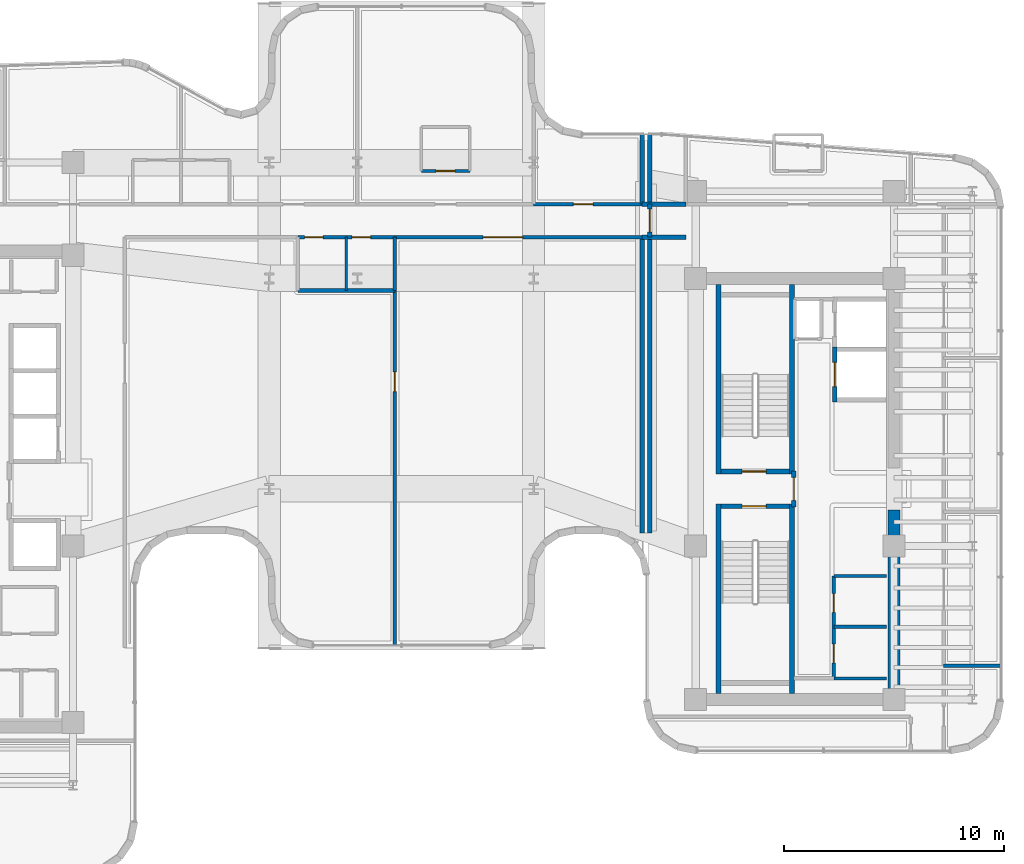
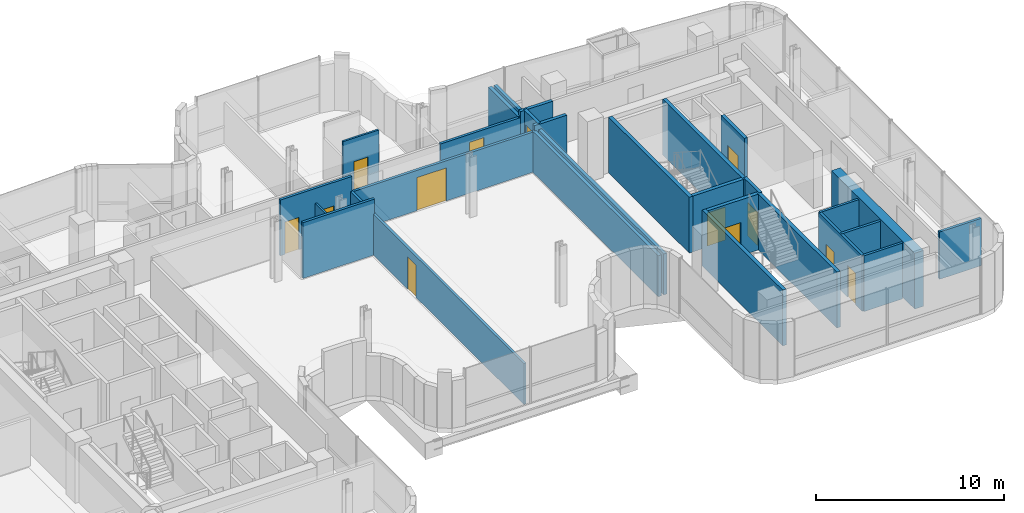
# One storey, part 29 of 36: 29 walls, 13 doors, 13 openings.
"""IFC4 building model written with IfcOpenShell, lengths in metres."""

import ifcopenshell
import ifcopenshell.guid

model = None  # the IFC model being written
_history = None  # IfcOwnerHistory: only IFC2X3 demands one
_inside = {}  # id of a spatial element -> (the spatial element, [elements in it])
_under = {}  # id of a project, library or spatial element -> (it, [spatial elements below it])
_declared = {}  # id of a project -> (the project, [libraries it declares])
_typed = {}  # id of a type object -> (the type object, [elements of that type])
_made_of = {}  # id of a material, layer set ... -> (it, [elements and type objects made of it])


def new_model(schema):
    """Start an empty IFC model of exactly this schema.

    Asked for "IFC4X3", IfcOpenShell would pick the latest addendum, in which some entities
    have other attributes; the version numbers below select the first issue.
    IFC2X3 requires an IfcOwnerHistory on every rooted entity: one is made here for all.
    """
    global model, _history
    if schema == "IFC4X3":
        model = ifcopenshell.file(schema_version=(4, 3, 0, 0))
    else:
        model = ifcopenshell.file(schema=schema)
    _inside.clear()
    _under.clear()
    _declared.clear()
    _typed.clear()
    _made_of.clear()
    _history = None
    if model.schema == "IFC2X3":
        org = make("IfcOrganization", Name="unknown")
        user = make(
            "IfcPersonAndOrganization",
            ThePerson=make("IfcPerson", FamilyName="unknown"),
            TheOrganization=org,
        )
        app = make(
            "IfcApplication",
            ApplicationDeveloper=org,
            Version="unknown",
            ApplicationFullName="unknown",
            ApplicationIdentifier="unknown",
        )
        _history = make(
            "IfcOwnerHistory",
            OwningUser=user,
            OwningApplication=app,
            ChangeAction="ADDED",
            CreationDate=0,
        )
    return model


def make(cls, **values):
    """One entity of the class cls with the attributes given. An attribute that is None is left unset."""
    return model.create_entity(
        cls, **{name: value for name, value in values.items() if value is not None}
    )


def rooted(cls, **values):
    """An entity with a GlobalId (a new one), such as an element, a storey or a relation."""
    return make(cls, GlobalId=ifcopenshell.guid.new(), OwnerHistory=_history, **values)


def si_unit(unit_type, name, prefix=None):
    """IfcSIUnit, for example si_unit("LENGTHUNIT", "METRE", prefix="MILLI")."""
    return make("IfcSIUnit", UnitType=unit_type, Prefix=prefix, Name=name)


def assignment(units):
    """IfcUnitAssignment: the units of a project."""
    return None if units is None else make("IfcUnitAssignment", Units=units)


def point(xyz):
    """IfcCartesianPoint."""
    return None if xyz is None else make("IfcCartesianPoint", Coordinates=xyz)


def direction(xyz):
    """IfcDirection."""
    return None if xyz is None else make("IfcDirection", DirectionRatios=xyz)


def frame(location, z_axis=None, x_axis=None):
    """IfcAxis2Placement3D, a coordinate frame: its origin and axes. An axis left out is left unset."""
    return make(
        "IfcAxis2Placement3D",
        Location=point(location),
        Axis=direction(z_axis),
        RefDirection=direction(x_axis),
    )


def frame_2d(location, x_axis=None):
    """IfcAxis2Placement2D, a coordinate frame in the plane: its origin and x axis."""
    return make(
        "IfcAxis2Placement2D", Location=point(location), RefDirection=direction(x_axis)
    )


def origin():
    """The frame at (0, 0, 0) with its axes left unset."""
    return frame((0.0, 0.0, 0.0))


def place(relative_to, where):
    """IfcLocalPlacement: puts the frame where relative to a parent placement (None: the world)."""
    return make(
        "IfcLocalPlacement", PlacementRelTo=relative_to, RelativePlacement=where
    )


def context(
    kind, dimensions, precision=None, world=None, true_north=None, identifier=None
):
    """IfcGeometricRepresentationContext, for example the 3D "Model" context."""
    return make(
        "IfcGeometricRepresentationContext",
        ContextIdentifier=identifier,
        ContextType=kind,
        CoordinateSpaceDimension=dimensions,
        Precision=precision,
        WorldCoordinateSystem=world,
        TrueNorth=true_north,
    )


def subcontext(parent, identifier, kind, view, scale=None):
    """IfcGeometricRepresentationSubContext, for example "Body" below "Model"."""
    return make(
        "IfcGeometricRepresentationSubContext",
        ContextIdentifier=identifier,
        ContextType=kind,
        ParentContext=parent,
        TargetScale=scale,
        TargetView=view,
    )


def project(units=None, contexts=None):
    """IfcProject with its units and contexts."""
    return rooted(
        "IfcProject",
        Name="project",
        RepresentationContexts=contexts,
        UnitsInContext=assignment(units),
    )


def spatial(cls, under=None, at=None, **own):
    """A site, building, storey or space (cls), placed at a placement, below another one or the project."""
    s = rooted(cls, ObjectPlacement=at, **own)
    if under is not None:
        _under.setdefault(under.id(), (under, []))[1].append(s)
    return s


def profile(cls, at=None, kind="AREA", **sizes):
    """A parametric profile (cls). Its sizes go by their IFC names, for example OverallWidth=200.0."""
    return make(cls, ProfileType=kind, Position=at, **sizes)


def rectangle(**sizes):
    """IfcRectangleProfileDef."""
    return profile("IfcRectangleProfileDef", **sizes)


def extrude(swept, where, along, depth):
    """IfcExtrudedAreaSolid: the profile swept, set in the frame where, extruded along a direction by depth."""
    return make(
        "IfcExtrudedAreaSolid",
        SweptArea=swept,
        Position=where,
        ExtrudedDirection=direction(along),
        Depth=depth,
    )


def shape(context_of_items, identifier, shape_type, items):
    """IfcShapeRepresentation: the items that make up one representation, for example the "Body"."""
    return make(
        "IfcShapeRepresentation",
        ContextOfItems=context_of_items,
        RepresentationIdentifier=identifier,
        RepresentationType=shape_type,
        Items=items,
    )


def material(Name=None, Category=None):
    """IfcMaterial."""
    return make("IfcMaterial", Name=Name, Category=Category)


def layer(
    of_material, thickness, ventilated=None, Name=None, Category=None, Priority=None
):
    """IfcMaterialLayer: one layer of a wall or slab, of a material (None: an air gap)."""
    return make(
        "IfcMaterialLayer",
        Material=of_material,
        LayerThickness=thickness,
        IsVentilated=ventilated,
        Name=Name,
        Category=Category,
        Priority=Priority,
    )


def layer_set(layers, Name=None):
    """IfcMaterialLayerSet."""
    return make("IfcMaterialLayerSet", MaterialLayers=layers, LayerSetName=Name)


def made_of(thing, what):
    """Note that an element or type object is made of a material, layer set ...; save() writes the relation."""
    if what is not None:
        _made_of.setdefault(what.id(), (what, []))[1].append(thing)
    return thing


def type_object(cls, material=None, **own):
    """A type object (cls), such as IfcWallType, which elements share."""
    return made_of(rooted(cls, **own), material)


def element(
    cls,
    number,
    at=None,
    inside=None,
    cuts=None,
    type_object=None,
    material=None,
    context=None,
    identifier="Body",
    shape_type=None,
    held_by="IfcProductDefinitionShape",
    body=None,
    shapes=None,
    **own,
):
    """One element of the class cls, such as IfcWall. Its Tag is "e" and its number.

    at: its placement. inside: the storey or other place that contains it. cuts: it is an
    opening in that element (IfcRelVoidsElement). A single representation is given by context,
    identifier, shape_type and body (its items); several are given by shapes. held_by: the class
    of the entity that holds the representations. save() writes the other relations.
    """
    e = rooted(cls, Tag="e%d" % number, ObjectPlacement=at, **own)
    if body is not None:
        shapes = [shape(context, identifier, shape_type, body)]
    if shapes is not None:
        e.Representation = make(held_by, Representations=shapes)
    if inside is not None:
        _inside.setdefault(inside.id(), (inside, []))[1].append(e)
    if cuts is not None:
        rooted(
            "IfcRelVoidsElement", RelatingBuildingElement=cuts, RelatedOpeningElement=e
        )
    if type_object is not None:
        _typed.setdefault(type_object.id(), (type_object, []))[1].append(e)
    return made_of(e, material)


def fill(opening, filler):
    """IfcRelFillsElement: the door or window that sits in an opening."""
    return rooted(
        "IfcRelFillsElement",
        RelatingOpeningElement=opening,
        RelatedBuildingElement=filler,
    )


def aggregate(whole, parts):
    """IfcRelAggregates: a whole, such as a stair, and the parts it consists of."""
    return rooted("IfcRelAggregates", RelatingObject=whole, RelatedObjects=parts)


def save(model, path):
    """Write the relations noted so far, then the file.

    IfcRelAggregates (storeys below a building ...), IfcRelContainedInSpatialStructure (elements
    in a storey), IfcRelDefinesByType, IfcRelAssociatesMaterial and IfcRelDeclares: one each for
    every whole, place, type object, material and project.
    """
    for whole, parts in _under.values():
        aggregate(whole, parts)
    for where, things in _inside.values():
        rooted(
            "IfcRelContainedInSpatialStructure",
            RelatedElements=things,
            RelatingStructure=where,
        )
    for kind, things in _typed.values():
        rooted("IfcRelDefinesByType", RelatedObjects=things, RelatingType=kind)
    for what, things in _made_of.values():
        rooted("IfcRelAssociatesMaterial", RelatedObjects=things, RelatingMaterial=what)
    for by, libraries in _declared.values():
        rooted("IfcRelDeclares", RelatingContext=by, RelatedDefinitions=libraries)
    model.write(path)


model = new_model("IFC4")

# Units and contexts
model_context = context("Model", 3, precision=1e-05, world=origin(), true_north=direction((0.0, 1.0)))
body_context = subcontext(model_context, "Body", "Model", "MODEL_VIEW")
ifc_project = project(units=[si_unit("LENGTHUNIT", "METRE"), si_unit("AREAUNIT", "SQUARE_METRE"), si_unit("VOLUMEUNIT", "CUBIC_METRE"), si_unit("PLANEANGLEUNIT", "RADIAN"), si_unit("MASSUNIT", "GRAM", prefix="KILO")], contexts=[model_context])

# Site, building, storey
site_placement = place(None, origin())
site = spatial("IfcSite", under=ifc_project, at=site_placement, CompositionType="ELEMENT")
building_placement = place(site_placement, origin())
building = spatial("IfcBuilding", under=site, at=building_placement, Name="Valdorenza Pilgrim Sanctuary Tower", CompositionType="ELEMENT")
storey_placement = place(building_placement, frame((0.0, 0.0, 176.550048828125)))
storey = spatial("IfcBuildingStorey", under=building, at=storey_placement, Name="L45", CompositionType="ELEMENT", Elevation=176.550048828125)

# Wall, openings, doors
ifc_material_1 = material(Name="Acoustic twin-stud gypsum partition", Category="gypsum")
ifc_layer_1 = layer(ifc_material_1, 0.159912109375, Name="Acoustic twin-stud gypsum partition")
ifc_layer_set_1 = layer_set([ifc_layer_1], Name="Acoustic twin-stud gypsum partition")
wall_type_1 = type_object("IfcWallType", Name="WAL-COR-160", PredefinedType="PARTITIONING", material=ifc_layer_set_1)
wall_1_placement = place(storey_placement, frame((22.1201171875, -8.60009765625, 0.0), z_axis=(0.0, 0.0, 1.0), x_axis=(0.0, 1.0, 0.0)))
wall_1 = element("IfcWall", 1, at=wall_1_placement, inside=storey, type_object=wall_type_1, Name="L45 Core B Freed Shaft West Wall", PredefinedType="PARTITIONING", context=body_context, shape_type="SweptSolid", body=[
    extrude(rectangle(XDim=4.650146484375, YDim=0.159912109375, at=frame_2d((2.3251953125, 0.0))), origin(), (0.0, 0.0, 1.0), 3.6298828125),
])
opening_1_placement = place(wall_1_placement, frame((0.699951171875, 0.0, 0.0)))
opening_1 = element("IfcOpeningElement", 2, at=opening_1_placement, cuts=wall_1, Name="Opening DR-RS1", PredefinedType="OPENING", context=body_context, shape_type="SweptSolid", body=[
    extrude(rectangle(XDim=0.85009765625, YDim=2.050048828125, at=frame_2d((0.425048828125, 1.02490234375))), frame((0.0, 0.0947265625, 0.0), z_axis=(0.0, -1.0, 0.0), x_axis=(1.0, 0.0, 0.0)), (0.0, 0.0, 1.0), 0.189697265625),
])
opening_2_placement = place(wall_1_placement, frame((3.0, 0.0, 0.0)))
opening_2 = element("IfcOpeningElement", 3, at=opening_2_placement, cuts=wall_1, Name="Opening DR-RS1", PredefinedType="OPENING", context=body_context, shape_type="SweptSolid", body=[
    extrude(rectangle(XDim=0.85009765625, YDim=2.050048828125, at=frame_2d((0.425048828125, 1.02490234375))), frame((0.0, 0.0947265625, 0.0), z_axis=(0.0, -1.0, 0.0), x_axis=(1.0, 0.0, 0.0)), (0.0, 0.0, 1.0), 0.189697265625),
])
ifc_material_2 = material(Name="Painted galvanized steel", Category="steel")
door_type_1 = type_object("IfcDoorType", Name="DR-RSR-850", OperationType="NOTDEFINED", PredefinedType="DOOR", material=ifc_material_2)
door_1_placement = place(opening_1_placement, origin())
door_1 = element("IfcDoor", 4, at=door_1_placement, inside=storey, type_object=door_type_1, Name="L45 East Core Housekeeping Store Door", OperationType="SINGLE_SWING_LEFT", OverallHeight=2.050048828125, OverallWidth=0.85009765625, PredefinedType="DOOR", context=body_context, shape_type="SweptSolid", body=[
    extrude(rectangle(XDim=0.85009765625, YDim=2.050048828125, at=frame_2d((0.425048828125, 1.02490234375))), frame((0.0, 0.02490234375, 0.0), z_axis=(0.0, -1.0, 0.0), x_axis=(1.0, 0.0, 0.0)), (0.0, 0.0, 1.0), 0.050048828125),
])
fill(opening_1, door_1)
door_2_placement = place(opening_2_placement, origin())
door_2 = element("IfcDoor", 5, at=door_2_placement, inside=storey, type_object=door_type_1, Name="L45 East Core Tea Pantry Door", OperationType="SINGLE_SWING_RIGHT", OverallHeight=2.050048828125, OverallWidth=0.85009765625, PredefinedType="DOOR", context=body_context, shape_type="SweptSolid", body=[
    extrude(rectangle(XDim=0.85009765625, YDim=2.050048828125, at=frame_2d((0.425048828125, 1.02490234375))), frame((0.0, 0.02490234375, 0.0), z_axis=(0.0, -1.0, 0.0), x_axis=(1.0, 0.0, 0.0)), (0.0, 0.0, 1.0), 0.050048828125),
])
fill(opening_2, door_2)

# Wall
wall_2_placement = place(storey_placement, frame((22.1201171875, -6.25, 0.0), z_axis=(0.0, 0.0, 1.0), x_axis=(1.0, 0.0, 0.0)))
element("IfcWall", 6, at=wall_2_placement, inside=storey, type_object=wall_type_1, Name="L45 Core B Freed Split", PredefinedType="PARTITIONING", context=body_context, shape_type="SweptSolid", body=[
    extrude(rectangle(XDim=2.3798828125, YDim=0.159912109375, at=frame_2d((1.18994140625, 0.0))), origin(), (0.0, 0.0, 1.0), 3.6298828125),
])

# Wall, opening, door
wall_3_placement = place(storey_placement, frame((2.199951171875, 11.419921875, 0.0), z_axis=(0.0, 0.0, 1.0), x_axis=(1.0, 0.0, 0.0)))
wall_3 = element("IfcWall", 7, at=wall_3_placement, inside=storey, type_object=wall_type_1, Name="L45 Prayer Library North-East Corridor Wall", PredefinedType="PARTITIONING", context=body_context, shape_type="SweptSolid", body=[
    extrude(rectangle(XDim=11.219970703125, YDim=0.159912109375, at=frame_2d((5.60986328125, 0.0))), origin(), (0.0, 0.0, 1.0), 2.614990234375),
])
opening_3_placement = place(wall_3_placement, frame((4.0, 0.0, 0.0)))
opening_3 = element("IfcOpeningElement", 8, at=opening_3_placement, cuts=wall_3, Name="Opening DR-HL1", PredefinedType="OPENING", context=body_context, shape_type="SweptSolid", body=[
    extrude(rectangle(XDim=1.800048828125, YDim=2.14990234375, at=frame_2d((0.89990234375, 1.074951171875))), frame((0.0, 0.0947265625, 0.0), z_axis=(0.0, -1.0, 0.0), x_axis=(1.0, 0.0, 0.0)), (0.0, 0.0, 1.0), 0.189697265625),
])
ifc_material_3 = material(Name="Acoustic oak and vision-glass double door", Category="glass")
door_type_2 = type_object("IfcDoorType", Name="DR-HALL-1800", OperationType="NOTDEFINED", PredefinedType="DOOR", material=ifc_material_3)
door_3_placement = place(opening_3_placement, origin())
door_3 = element("IfcDoor", 9, at=door_3_placement, inside=storey, type_object=door_type_2, Name="L45 Sacred Archive Reading Library Door", OperationType="DOUBLE_DOOR_SINGLE_SWING", OverallHeight=2.14990234375, OverallWidth=1.800048828125, PredefinedType="DOOR", context=body_context, shape_type="SweptSolid", body=[
    extrude(rectangle(XDim=1.800048828125, YDim=2.14990234375, at=frame_2d((0.89990234375, 1.074951171875))), frame((0.0, 0.02490234375, 0.0), z_axis=(0.0, -1.0, 0.0), x_axis=(1.0, 0.0, 0.0)), (0.0, 0.0, 1.0), 0.050048828125),
])
fill(opening_3, door_3)

# Walls
wall_4_placement = place(storey_placement, frame((2.199951171875, 9.0, 0.0), z_axis=(0.0, 0.0, 1.0), x_axis=(0.0, 1.0, 0.0)))
element("IfcWall", 10, at=wall_4_placement, inside=storey, type_object=wall_type_1, Name="L45 Washroom East Wall", PredefinedType="PARTITIONING", context=body_context, shape_type="SweptSolid", body=[
    extrude(rectangle(XDim=2.419921875, YDim=0.159912109375, at=frame_2d((1.2099609375, 0.0))), origin(), (0.0, 0.0, 1.0), 2.6650390625),
])
wall_5_placement = place(storey_placement, frame((-2.199951171875, 9.0, 0.0), z_axis=(0.0, 0.0, 1.0), x_axis=(1.0, 0.0, 0.0)))
element("IfcWall", 11, at=wall_5_placement, inside=storey, type_object=wall_type_1, Name="L45 Washroom South Wall", PredefinedType="PARTITIONING", context=body_context, shape_type="SweptSolid", body=[
    extrude(rectangle(XDim=4.39990234375, YDim=0.159912109375, at=frame_2d((2.199951171875, 0.0))), origin(), (0.0, 0.0, 1.0), 3.6298828125),
])

# Wall, openings, doors
wall_6_placement = place(storey_placement, frame((-2.199951171875, 11.419921875, 0.0), z_axis=(0.0, 0.0, 1.0), x_axis=(1.0, 0.0, 0.0)))
wall_6 = element("IfcWall", 12, at=wall_6_placement, inside=storey, type_object=wall_type_1, Name="L45 Washroom North Wall", PredefinedType="PARTITIONING", context=body_context, shape_type="SweptSolid", body=[
    extrude(rectangle(XDim=4.39990234375, YDim=0.159912109375, at=frame_2d((2.199951171875, 0.0))), origin(), (0.0, 0.0, 1.0), 3.6298828125),
])
opening_4_placement = place(wall_6_placement, frame((0.300048828125, 0.0, 0.0)))
opening_4 = element("IfcOpeningElement", 13, at=opening_4_placement, cuts=wall_6, Name="Opening DR-WC1", PredefinedType="OPENING", context=body_context, shape_type="SweptSolid", body=[
    extrude(rectangle(XDim=0.85009765625, YDim=2.10009765625, at=frame_2d((0.425048828125, 1.050048828125))), frame((0.0, 0.0947265625, 0.0), z_axis=(0.0, -1.0, 0.0), x_axis=(1.0, 0.0, 0.0)), (0.0, 0.0, 1.0), 0.189697265625),
])
opening_5_placement = place(wall_6_placement, frame((2.449951171875, 0.0, 0.0)))
opening_5 = element("IfcOpeningElement", 14, at=opening_5_placement, cuts=wall_6, Name="Opening DR-WC1", PredefinedType="OPENING", context=body_context, shape_type="SweptSolid", body=[
    extrude(rectangle(XDim=0.85009765625, YDim=2.10009765625, at=frame_2d((0.425048828125, 1.050048828125))), frame((0.0, 0.0947265625, 0.0), z_axis=(0.0, -1.0, 0.0), x_axis=(1.0, 0.0, 0.0)), (0.0, 0.0, 1.0), 0.189697265625),
])
ifc_material_4 = material(Name="Moisture-resistant lacquered timber", Category="wood")
door_type_3 = type_object("IfcDoorType", Name="DR-BATH-850", OperationType="NOTDEFINED", PredefinedType="DOOR", material=ifc_material_4)
door_4_placement = place(opening_4_placement, origin())
door_4 = element("IfcDoor", 15, at=door_4_placement, inside=storey, type_object=door_type_3, Name="L45 Accessible Washroom Door", OperationType="SINGLE_SWING_RIGHT", OverallHeight=2.10009765625, OverallWidth=0.85009765625, PredefinedType="DOOR", context=body_context, shape_type="SweptSolid", body=[
    extrude(rectangle(XDim=0.85009765625, YDim=2.10009765625, at=frame_2d((0.425048828125, 1.050048828125))), frame((0.0, 0.02490234375, 0.0), z_axis=(0.0, -1.0, 0.0), x_axis=(1.0, 0.0, 0.0)), (0.0, 0.0, 1.0), 0.050048828125),
])
fill(opening_4, door_4)
door_5_placement = place(opening_5_placement, origin())
door_5 = element("IfcDoor", 16, at=door_5_placement, inside=storey, type_object=door_type_3, Name="L45 Public Washroom Door", OperationType="SINGLE_SWING_LEFT", OverallHeight=2.10009765625, OverallWidth=0.85009765625, PredefinedType="DOOR", context=body_context, shape_type="SweptSolid", body=[
    extrude(rectangle(XDim=0.85009765625, YDim=2.10009765625, at=frame_2d((0.425048828125, 1.050048828125))), frame((0.0, 0.02490234375, 0.0), z_axis=(0.0, -1.0, 0.0), x_axis=(1.0, 0.0, 0.0)), (0.0, 0.0, 1.0), 0.050048828125),
])
fill(opening_5, door_5)

# Wall, opening, door
wall_7_placement = place(storey_placement, frame((8.5, 12.919921875, 0.0), z_axis=(0.0, 0.0, 1.0), x_axis=(1.0, 0.0, 0.0)))
wall_7 = element("IfcWall", 17, at=wall_7_placement, inside=storey, type_object=wall_type_1, Name="L45 North-East Prayer Salon Corridor Wall", PredefinedType="PARTITIONING", context=body_context, shape_type="SweptSolid", body=[
    extrude(rectangle(XDim=4.919921875, YDim=0.159912109375, at=frame_2d((2.4599609375, 0.0))), origin(), (0.0, 0.0, 1.0), 2.614990234375),
])
opening_6_placement = place(wall_7_placement, frame((1.800048828125, 0.0, 0.0)))
opening_6 = element("IfcOpeningElement", 18, at=opening_6_placement, cuts=wall_7, Name="Opening DR-RM1", PredefinedType="OPENING", context=body_context, shape_type="SweptSolid", body=[
    extrude(rectangle(XDim=0.89990234375, YDim=2.10009765625, at=frame_2d((0.449951171875, 1.050048828125))), frame((0.0, 0.0947265625, 0.0), z_axis=(0.0, -1.0, 0.0), x_axis=(1.0, 0.0, 0.0)), (0.0, 0.0, 1.0), 0.189697265625),
])
ifc_material_5 = material(Name="Solid-core European oak timber", Category="wood")
door_type_4 = type_object("IfcDoorType", Name="DR-ROOM-900", OperationType="NOTDEFINED", PredefinedType="DOOR", material=ifc_material_5)
door_6_placement = place(opening_6_placement, origin())
door_6 = element("IfcDoor", 19, at=door_6_placement, inside=storey, type_object=door_type_4, Name="L45 North-East Contemplation Salon Door", OperationType="SINGLE_SWING_RIGHT", OverallHeight=2.10009765625, OverallWidth=0.89990234375, PredefinedType="DOOR", context=body_context, shape_type="SweptSolid", body=[
    extrude(rectangle(XDim=0.89990234375, YDim=2.10009765625, at=frame_2d((0.449951171875, 1.050048828125))), frame((0.0, 0.02490234375, 0.0), z_axis=(0.0, -1.0, 0.0), x_axis=(1.0, 0.0, 0.0)), (0.0, 0.0, 1.0), 0.050048828125),
])
fill(opening_6, door_6)

# Wall
ifc_material_6 = material(Name="Concrete C50/60", Category="concrete")
ifc_layer_2 = layer(ifc_material_6, 0.550048828125, Name="Concrete C50/60")
ifc_layer_set_2 = layer_set([ifc_layer_2], Name="Concrete C50/60")
wall_type_2 = type_object("IfcWallType", Name="WAL-COR-550", PredefinedType="SHEAR", material=ifc_layer_set_2)
wall_8_placement = place(storey_placement, frame((24.85009765625, -9.824951171875, 0.0), z_axis=(0.0, 0.0, 1.0), x_axis=(0.0, 1.0, 0.0)))
element("IfcWall", 20, at=wall_8_placement, inside=storey, type_object=wall_type_2, Name="L45 Split Core B Shear Wall ES", PredefinedType="SHEAR", context=body_context, shape_type="SweptSolid", body=[
    extrude(rectangle(XDim=8.875, YDim=0.550048828125, at=frame_2d((4.4375, 0.0))), origin(), (0.0, 0.0, 1.0), 3.6298828125),
])

# Wall, opening, door
ifc_material_7 = material(Name="Gypsum shaftwall partition", Category="gypsum")
ifc_layer_3 = layer(ifc_material_7, 0.199951171875, Name="Gypsum shaftwall partition")
ifc_layer_set_3 = layer_set([ifc_layer_3], Name="Gypsum shaftwall partition")
wall_type_3 = type_object("IfcWallType", Name="WAL-FFL-200", PredefinedType="PARTITIONING", material=ifc_layer_set_3)
wall_9_placement = place(storey_placement, frame((20.300048828125, -0.820068359375, 0.0), z_axis=(0.0, 0.0, 1.0), x_axis=(0.0, 1.0, 0.0)))
wall_9 = element("IfcWall", 21, at=wall_9_placement, inside=storey, type_object=wall_type_3, Name="L45 Core B Firefighting Lobby East Wall", PredefinedType="PARTITIONING", context=body_context, shape_type="SweptSolid", body=[
    extrude(rectangle(XDim=1.64013671875, YDim=0.199951171875, at=frame_2d((0.820068359375, 0.0))), origin(), (0.0, 0.0, 1.0), 3.6298828125),
])
opening_7_placement = place(wall_9_placement, frame((0.294921875, 0.0, 0.0)))
opening_7 = element("IfcOpeningElement", 22, at=opening_7_placement, cuts=wall_9, Name="Opening DR-FL1", PredefinedType="OPENING", context=body_context, shape_type="SweptSolid", body=[
    extrude(rectangle(XDim=1.050048828125, YDim=2.14990234375, at=frame_2d((0.52490234375, 1.074951171875))), frame((0.0, 0.11474609375, 0.0), z_axis=(0.0, -1.0, 0.0), x_axis=(1.0, 0.0, 0.0)), (0.0, 0.0, 1.0), 0.229736328125),
])
door_type_5 = type_object("IfcDoorType", Name="DR-FFL-1050", OperationType="NOTDEFINED", PredefinedType="DOOR", material=ifc_material_2)
door_7_placement = place(opening_7_placement, frame((1.050048828125, 0.0, 0.0), z_axis=(0.0, 0.0, 1.0), x_axis=(-1.0, 0.0, 0.0)))
door_7 = element("IfcDoor", 23, at=door_7_placement, inside=storey, type_object=door_type_5, Name="L45 Core B Firefighting Lobby Door", OperationType="SINGLE_SWING_LEFT", OverallHeight=2.14990234375, OverallWidth=1.050048828125, PredefinedType="DOOR", context=body_context, shape_type="SweptSolid", body=[
    extrude(rectangle(XDim=1.050048828125, YDim=2.14990234375, at=frame_2d((0.52490234375, 1.074951171875))), frame((0.0, 0.02490234375, 0.0), z_axis=(0.0, -1.0, 0.0), x_axis=(1.0, 0.0, 0.0)), (0.0, 0.0, 1.0), 0.050048828125),
])
fill(opening_7, door_7)

# Walls
for number, where, z_axis, x_axis, name in (
    (24, (13.419921875, -2.0, 0.0), (0.0, 0.0, 1.0), (0.0, 1.0, 0.0), "L45 Prayer Bar Joint West Wall"),
    (25, (13.760009765625, -2.0, 0.0), (0.0, 0.0, 1.0), (0.0, 1.0, 0.0), "L45 Wing B Joint East Wall"),
):
    element("IfcWall", number, at=place(storey_placement, frame(where, z_axis=z_axis, x_axis=x_axis)), inside=storey, type_object=wall_type_3, Name=name, PredefinedType="PARTITIONING", context=body_context, shape_type="SweptSolid", body=[
        extrude(rectangle(XDim=13.419921875, YDim=0.199951171875, at=frame_2d((6.7099609375, 0.0))), origin(), (0.0, 0.0, 1.0), 2.6650390625),
    ])
for number, where, z_axis, x_axis, name in (
    (26, (13.419921875, 12.919921875, 0.0), (0.0, 0.0, 1.0), (0.0, 1.0, 0.0), "L45 North-East Joint West Wall"),
    (27, (13.760009765625, 12.919921875, 0.0), (0.0, 0.0, 1.0), (0.0, 1.0, 0.0), "L45 North-East Joint East Wall"),
):
    element("IfcWall", number, at=place(storey_placement, frame(where, z_axis=z_axis, x_axis=x_axis)), inside=storey, type_object=wall_type_3, Name=name, PredefinedType="PARTITIONING", context=body_context, shape_type="SweptSolid", body=[
        extrude(rectangle(XDim=3.170166015625, YDim=0.199951171875, at=frame_2d((1.5849609375, 0.0))), origin(), (0.0, 0.0, 1.0), 2.6650390625),
    ])
for number, where, z_axis, x_axis, name in (
    (28, (13.419921875, 12.919921875, 0.0), (0.0, 0.0, 1.0), (1.0, 0.0, 0.0), "L45 L45 Bridge Joint Corridor North Wall"),
    (29, (13.419921875, 11.419921875, 0.0), (0.0, 0.0, 1.0), (1.0, 0.0, 0.0), "L45 L45 Bridge Joint Corridor South Wall"),
):
    element("IfcWall", number, at=place(storey_placement, frame(where, z_axis=z_axis, x_axis=x_axis)), inside=storey, type_object=wall_type_3, Name=name, PredefinedType="PARTITIONING", context=body_context, shape_type="SweptSolid", body=[
        extrude(rectangle(XDim=1.97998046875, YDim=0.199951171875, at=frame_2d((0.989990234375, 0.0))), origin(), (0.0, 0.0, 1.0), 3.00390625),
    ])

# Wall, opening, door
wall_10_placement = place(storey_placement, frame((13.760009765625, 11.419921875, 0.0), z_axis=(0.0, 0.0, 1.0), x_axis=(0.0, 1.0, 0.0)))
wall_10 = element("IfcWall", 30, at=wall_10_placement, inside=storey, type_object=wall_type_3, Name="L45 L45 Bridge Joint Threshold Fire Wall", PredefinedType="PARTITIONING", context=body_context, shape_type="SweptSolid", body=[
    extrude(rectangle(XDim=1.5, YDim=0.199951171875, at=frame_2d((0.75, 0.0))), origin(), (0.0, 0.0, 1.0), 3.00390625),
])
opening_8_placement = place(wall_10_placement, frame((0.22509765625, 0.0, 0.0)))
opening_8 = element("IfcOpeningElement", 31, at=opening_8_placement, cuts=wall_10, Name="Opening DR-FL1", PredefinedType="OPENING", context=body_context, shape_type="SweptSolid", body=[
    extrude(rectangle(XDim=1.050048828125, YDim=2.14990234375, at=frame_2d((0.52490234375, 1.074951171875))), frame((0.0, 0.11474609375, 0.0), z_axis=(0.0, -1.0, 0.0), x_axis=(1.0, 0.0, 0.0)), (0.0, 0.0, 1.0), 0.229736328125),
])
door_8_placement = place(opening_8_placement, origin())
door_8 = element("IfcDoor", 32, at=door_8_placement, inside=storey, type_object=door_type_5, Name="L45 L45 Bridge Movement-Joint Threshold Door", OperationType="SINGLE_SWING_LEFT", OverallHeight=2.14990234375, OverallWidth=1.050048828125, PredefinedType="DOOR", context=body_context, shape_type="SweptSolid", body=[
    extrude(rectangle(XDim=1.050048828125, YDim=2.14990234375, at=frame_2d((0.52490234375, 1.074951171875))), frame((0.0, 0.02490234375, 0.0), z_axis=(0.0, -1.0, 0.0), x_axis=(1.0, 0.0, 0.0)), (0.0, 0.0, 1.0), 0.050048828125),
])
fill(opening_8, door_8)

ifc_material_8 = material(Name="Moisture-resistant gypsum partition", Category="gypsum")
ifc_layer_4 = layer(ifc_material_8, 0.1201171875, Name="Moisture-resistant gypsum partition")
ifc_layer_set_4 = layer_set([ifc_layer_4], Name="Moisture-resistant gypsum partition")
wall_type_4 = type_object("IfcWallType", Name="WAL-INT-120", PredefinedType="PARTITIONING", material=ifc_layer_set_4)
wall_11_placement = place(storey_placement, frame((3.39990234375, 14.419921875, 0.0), z_axis=(0.0, 0.0, 1.0), x_axis=(1.0, 0.0, 0.0)))
wall_11 = element("IfcWall", 33, at=wall_11_placement, inside=storey, type_object=wall_type_4, Name="L45 North Guest Room L45-N5 En-suite Door Wall", PredefinedType="PARTITIONING", context=body_context, shape_type="SweptSolid", body=[
    extrude(rectangle(XDim=2.2001953125, YDim=0.1201171875, at=frame_2d((1.10009765625, 0.0))), origin(), (0.0, 0.0, 1.0), 3.6298828125),
])
opening_9_placement = place(wall_11_placement, frame((0.675048828125, 0.0, 0.0)))
opening_9 = element("IfcOpeningElement", 34, at=opening_9_placement, cuts=wall_11, Name="Opening DR-WC1", PredefinedType="OPENING", context=body_context, shape_type="SweptSolid", body=[
    extrude(rectangle(XDim=0.85009765625, YDim=2.10009765625, at=frame_2d((0.425048828125, 1.050048828125))), frame((0.0, 0.074951171875, 0.0), z_axis=(0.0, -1.0, 0.0), x_axis=(1.0, 0.0, 0.0)), (0.0, 0.0, 1.0), 0.14990234375),
])
door_9_placement = place(opening_9_placement, origin())
door_9 = element("IfcDoor", 35, at=door_9_placement, inside=storey, type_object=door_type_3, Name="L45 North Guest Room L45-N5 En-suite Bathroom Door", OperationType="SINGLE_SWING_RIGHT", OverallHeight=2.10009765625, OverallWidth=0.85009765625, PredefinedType="DOOR", context=body_context, shape_type="SweptSolid", body=[
    extrude(rectangle(XDim=0.85009765625, YDim=2.10009765625, at=frame_2d((0.425048828125, 1.050048828125))), frame((0.0, 0.02490234375, 0.0), z_axis=(0.0, -1.0, 0.0), x_axis=(1.0, 0.0, 0.0)), (0.0, 0.0, 1.0), 0.050048828125),
])
fill(opening_9, door_9)

# Wall
wall_12_placement = place(storey_placement, frame((0.0, 9.0, 0.0), z_axis=(0.0, 0.0, 1.0), x_axis=(0.0, 1.0, 0.0)))
element("IfcWall", 36, at=wall_12_placement, inside=storey, type_object=wall_type_4, Name="L45 Washroom Divider Wall", PredefinedType="PARTITIONING", context=body_context, shape_type="SweptSolid", body=[
    extrude(rectangle(XDim=2.419921875, YDim=0.1201171875, at=frame_2d((1.2099609375, 0.0))), origin(), (0.0, 0.0, 1.0), 2.6650390625),
])

# Wall, opening, door
ifc_material_9 = material(Name="Autoclaved aerated concrete blockwork", Category="masonry")
ifc_layer_5 = layer(ifc_material_9, 0.199951171875, Name="Autoclaved aerated concrete blockwork")
ifc_layer_set_5 = layer_set([ifc_layer_5], Name="Autoclaved aerated concrete blockwork")
wall_type_5 = type_object("IfcWallType", Name="WAL-SHF-200", PredefinedType="MOVABLE", material=ifc_layer_set_5)
wall_13_placement = place(storey_placement, frame((22.14990234375, 3.949951171875, 0.0), z_axis=(0.0, 0.0, 1.0), x_axis=(0.0, 1.0, 0.0)))
wall_13 = element("IfcWall", 37, at=wall_13_placement, inside=storey, type_object=wall_type_5, Name="L45 Lift PL-07 Hoistway Wall West", PredefinedType="MOVABLE", context=body_context, shape_type="SweptSolid", body=[
    extrude(rectangle(XDim=2.47509765625, YDim=0.199951171875, at=frame_2d((1.237548828125, 0.0))), origin(), (0.0, 0.0, 1.0), 3.6298828125),
])
opening_10_placement = place(wall_13_placement, frame((0.6875, 0.0, 0.0)))
opening_10 = element("IfcOpeningElement", 38, at=opening_10_placement, cuts=wall_13, Name="Opening LD-01", PredefinedType="OPENING", context=body_context, shape_type="SweptSolid", body=[
    extrude(rectangle(XDim=1.10009765625, YDim=2.10009765625, at=frame_2d((0.550048828125, 1.050048828125))), frame((0.0, 0.11474609375, 0.0), z_axis=(0.0, -1.0, 0.0), x_axis=(1.0, 0.0, 0.0)), (0.0, 0.0, 1.0), 0.229736328125),
])
ifc_material_10 = material(Name="Brushed stainless steel Grade 316", Category="steel")
door_type_6 = type_object("IfcDoorType", Name="DR-LFT-1100", OperationType="DOUBLE_DOOR_SLIDING", PredefinedType="DOOR", material=ifc_material_10)
door_10_placement = place(opening_10_placement, origin())
door_10 = element("IfcDoor", 39, at=door_10_placement, inside=storey, type_object=door_type_6, Name="L45 Lift PL-07 Sliding Landing Door", OperationType="DOUBLE_DOOR_SLIDING", OverallHeight=2.10009765625, OverallWidth=1.10009765625, PredefinedType="DOOR", context=body_context, shape_type="SweptSolid", body=[
    extrude(rectangle(XDim=1.10009765625, YDim=2.10009765625, at=frame_2d((0.550048828125, 1.050048828125))), frame((0.0, 0.02490234375, 0.0), z_axis=(0.0, -1.0, 0.0), x_axis=(1.0, 0.0, 0.0)), (0.0, 0.0, 1.0), 0.050048828125),
])
fill(opening_10, door_10)

# Walls
ifc_material_11 = material(Name="Concrete C40/50", Category="concrete")
ifc_layer_6 = layer(ifc_material_11, 0.219970703125, Name="Concrete C40/50")
ifc_layer_set_6 = layer_set([ifc_layer_6], Name="Concrete C40/50")
wall_type_6 = type_object("IfcWallType", Name="WAL-STR-SHF-220", PredefinedType="SHEAR", material=ifc_layer_set_6)
for number, where, z_axis, x_axis, name in (
    (40, (16.889892578125, 0.679931640625, 0.0), (0.0, 0.0, 1.0), (0.0, 1.0, 0.0), "L45 ST-B1 Structural Stairwell Wall W"),
    (41, (20.219970703125, 0.679931640625, 0.0), (0.0, 0.0, 1.0), (0.0, 1.0, 0.0), "L45 ST-B1 Structural Stairwell Wall E"),
):
    element("IfcWall", number, at=place(storey_placement, frame(where, z_axis=z_axis, x_axis=x_axis)), inside=storey, type_object=wall_type_6, Name=name, PredefinedType="SHEAR", context=body_context, shape_type="SweptSolid", body=[
        extrude(rectangle(XDim=8.594970703125, YDim=0.219970703125, at=frame_2d((4.29736328125, 0.0))), origin(), (0.0, 0.0, 1.0), 3.6298828125),
    ])

# Wall, opening, door
wall_14_placement = place(storey_placement, frame((17.0, 0.7900390625, 0.0), z_axis=(0.0, 0.0, 1.0), x_axis=(1.0, 0.0, 0.0)))
wall_14 = element("IfcWall", 42, at=wall_14_placement, inside=storey, type_object=wall_type_6, Name="L45 ST-B1 Structural Stairwell Wall S", PredefinedType="SHEAR", context=body_context, shape_type="SweptSolid", body=[
    extrude(rectangle(XDim=3.110107421875, YDim=0.219970703125, at=frame_2d((1.55517578125, 0.0))), origin(), (0.0, 0.0, 1.0), 3.6298828125),
])
opening_11_placement = place(wall_14_placement, frame((0.949951171875, 0.0, 0.0)))
opening_11 = element("IfcOpeningElement", 43, at=opening_11_placement, cuts=wall_14, Name="Opening DR-ST1", PredefinedType="OPENING", context=body_context, shape_type="SweptSolid", body=[
    extrude(rectangle(XDim=1.10009765625, YDim=2.14990234375, at=frame_2d((0.550048828125, 1.074951171875))), frame((0.0, 0.125, 0.0), z_axis=(0.0, -1.0, 0.0), x_axis=(1.0, 0.0, 0.0)), (0.0, 0.0, 1.0), 0.249755859375),
])
door_type_7 = type_object("IfcDoorType", Name="DR-STAIR-1100", OperationType="NOTDEFINED", PredefinedType="DOOR", material=ifc_material_2)
door_11_placement = place(opening_11_placement, origin())
door_11 = element("IfcDoor", 44, at=door_11_placement, inside=storey, type_object=door_type_7, Name="L45 Exit Stair ST-B1 Door", OperationType="SINGLE_SWING_RIGHT", OverallHeight=2.14990234375, OverallWidth=1.10009765625, PredefinedType="DOOR", context=body_context, shape_type="SweptSolid", body=[
    extrude(rectangle(XDim=1.10009765625, YDim=2.14990234375, at=frame_2d((0.550048828125, 1.074951171875))), frame((0.0, 0.02490234375, 0.0), z_axis=(0.0, -1.0, 0.0), x_axis=(1.0, 0.0, 0.0)), (0.0, 0.0, 1.0), 0.050048828125),
])
fill(opening_11, door_11)

# Walls
for number, where, z_axis, x_axis, name in (
    (45, (16.889892578125, -9.27490234375, 0.0), (0.0, 0.0, 1.0), (0.0, 1.0, 0.0), "L45 ST-B2 Structural Stairwell Wall W"),
    (46, (20.219970703125, -9.27490234375, 0.0), (0.0, 0.0, 1.0), (0.0, 1.0, 0.0), "L45 ST-B2 Structural Stairwell Wall E"),
):
    element("IfcWall", number, at=place(storey_placement, frame(where, z_axis=z_axis, x_axis=x_axis)), inside=storey, type_object=wall_type_6, Name=name, PredefinedType="SHEAR", context=body_context, shape_type="SweptSolid", body=[
        extrude(rectangle(XDim=8.594970703125, YDim=0.219970703125, at=frame_2d((4.29736328125, 0.0))), origin(), (0.0, 0.0, 1.0), 3.6298828125),
    ])

# Wall, opening, door
wall_15_placement = place(storey_placement, frame((17.0, -0.7900390625, 0.0), z_axis=(0.0, 0.0, 1.0), x_axis=(1.0, 0.0, 0.0)))
wall_15 = element("IfcWall", 47, at=wall_15_placement, inside=storey, type_object=wall_type_6, Name="L45 ST-B2 Structural Stairwell Wall N", PredefinedType="SHEAR", context=body_context, shape_type="SweptSolid", body=[
    extrude(rectangle(XDim=3.110107421875, YDim=0.219970703125, at=frame_2d((1.55517578125, 0.0))), origin(), (0.0, 0.0, 1.0), 3.6298828125),
])
opening_12_placement = place(wall_15_placement, frame((0.949951171875, 0.0, 0.0)))
opening_12 = element("IfcOpeningElement", 48, at=opening_12_placement, cuts=wall_15, Name="Opening DR-ST1", PredefinedType="OPENING", context=body_context, shape_type="SweptSolid", body=[
    extrude(rectangle(XDim=1.10009765625, YDim=2.14990234375, at=frame_2d((0.550048828125, 1.074951171875))), frame((0.0, 0.125, 0.0), z_axis=(0.0, -1.0, 0.0), x_axis=(1.0, 0.0, 0.0)), (0.0, 0.0, 1.0), 0.249755859375),
])
door_12_placement = place(opening_12_placement, frame((1.10009765625, 0.0, 0.0), z_axis=(0.0, 0.0, 1.0), x_axis=(-1.0, 0.0, 0.0)))
door_12 = element("IfcDoor", 49, at=door_12_placement, inside=storey, type_object=door_type_7, Name="L45 Exit Stair ST-B2 Door", OperationType="SINGLE_SWING_LEFT", OverallHeight=2.14990234375, OverallWidth=1.10009765625, PredefinedType="DOOR", context=body_context, shape_type="SweptSolid", body=[
    extrude(rectangle(XDim=1.10009765625, YDim=2.14990234375, at=frame_2d((0.550048828125, 1.074951171875))), frame((0.0, 0.02490234375, 0.0), z_axis=(0.0, -1.0, 0.0), x_axis=(1.0, 0.0, 0.0)), (0.0, 0.0, 1.0), 0.050048828125),
])
fill(opening_12, door_12)

# Walls
ifc_layer_7 = layer(ifc_material_1, 0.14990234375, Name="Acoustic twin-stud gypsum partition")
ifc_layer_set_7 = layer_set([ifc_layer_7], Name="Acoustic twin-stud gypsum partition")
wall_type_7 = type_object("IfcWallType", Name="WAL-UNT-150", PredefinedType="PARTITIONING", material=ifc_layer_set_7)
for number, where, z_axis, x_axis, name in (
    (50, (22.1201171875, -3.949951171875, 0.0), (0.0, 0.0, 1.0), (1.0, 0.0, 0.0), "L45 Core B Freed Shaft North Wall"),
    (51, (22.1201171875, -8.60009765625, 0.0), (0.0, 0.0, 1.0), (1.0, 0.0, 0.0), "L45 Core B Freed Shaft South Wall"),
):
    element("IfcWall", number, at=place(storey_placement, frame(where, z_axis=z_axis, x_axis=x_axis)), inside=storey, type_object=wall_type_7, Name=name, PredefinedType="PARTITIONING", context=body_context, shape_type="SweptSolid", body=[
        extrude(rectangle(XDim=2.3798828125, YDim=0.14990234375, at=frame_2d((1.18994140625, 0.0))), origin(), (0.0, 0.0, 1.0), 3.6298828125),
    ])

# Wall, opening, door
wall_16_placement = place(storey_placement, frame((2.199951171875, -7.090087890625, 0.0), z_axis=(0.0, 0.0, 1.0), x_axis=(0.0, 1.0, 0.0)))
wall_16 = element("IfcWall", 52, at=wall_16_placement, inside=storey, type_object=wall_type_7, Name="L45 Prayer Hall East Library Split", PredefinedType="PARTITIONING", context=body_context, shape_type="SweptSolid", body=[
    extrude(rectangle(XDim=16.090087890625, YDim=0.14990234375, at=frame_2d((8.044921875, 0.0))), origin(), (0.0, 0.0, 1.0), 2.6650390625),
])
opening_13_placement = place(wall_16_placement, frame((11.5, 0.0, 0.0)))
opening_13 = element("IfcOpeningElement", 53, at=opening_13_placement, cuts=wall_16, Name="Opening DR-RM1", PredefinedType="OPENING", context=body_context, shape_type="SweptSolid", body=[
    extrude(rectangle(XDim=0.89990234375, YDim=2.10009765625, at=frame_2d((0.449951171875, 1.050048828125))), frame((0.0, 0.08984375, 0.0), z_axis=(0.0, -1.0, 0.0), x_axis=(1.0, 0.0, 0.0)), (0.0, 0.0, 1.0), 0.1796875),
])
door_13_placement = place(opening_13_placement, frame((0.89990234375, 0.0, 0.0), z_axis=(0.0, 0.0, 1.0), x_axis=(-1.0, 0.0, 0.0)))
door_13 = element("IfcDoor", 54, at=door_13_placement, inside=storey, type_object=door_type_4, Name="L45 Prayer Hall Library Door", OperationType="SINGLE_SWING_LEFT", OverallHeight=2.10009765625, OverallWidth=0.89990234375, PredefinedType="DOOR", context=body_context, shape_type="SweptSolid", body=[
    extrude(rectangle(XDim=0.89990234375, YDim=2.10009765625, at=frame_2d((0.449951171875, 1.050048828125))), frame((0.0, 0.02490234375, 0.0), z_axis=(0.0, -1.0, 0.0), x_axis=(1.0, 0.0, 0.0)), (0.0, 0.0, 1.0), 0.050048828125),
])
fill(opening_13, door_13)

# Wall
wall_17_placement = place(storey_placement, frame((27.10009765625, -8.02001953125, 0.0), z_axis=(0.0, 0.0, 1.0), x_axis=(1.0, 0.0, 0.0)))
element("IfcWall", 55, at=wall_17_placement, inside=storey, type_object=wall_type_7, Name="L45 East Reading Lounge L45-EB2 Demising Wall", PredefinedType="PARTITIONING", context=body_context, shape_type="SweptSolid", body=[
    extrude(rectangle(XDim=2.58984375, YDim=0.14990234375, at=frame_2d((1.294921875, 0.0))), origin(), (0.0, 0.0, 1.0), 3.075927734375),
])

save(model, "model.ifc")
